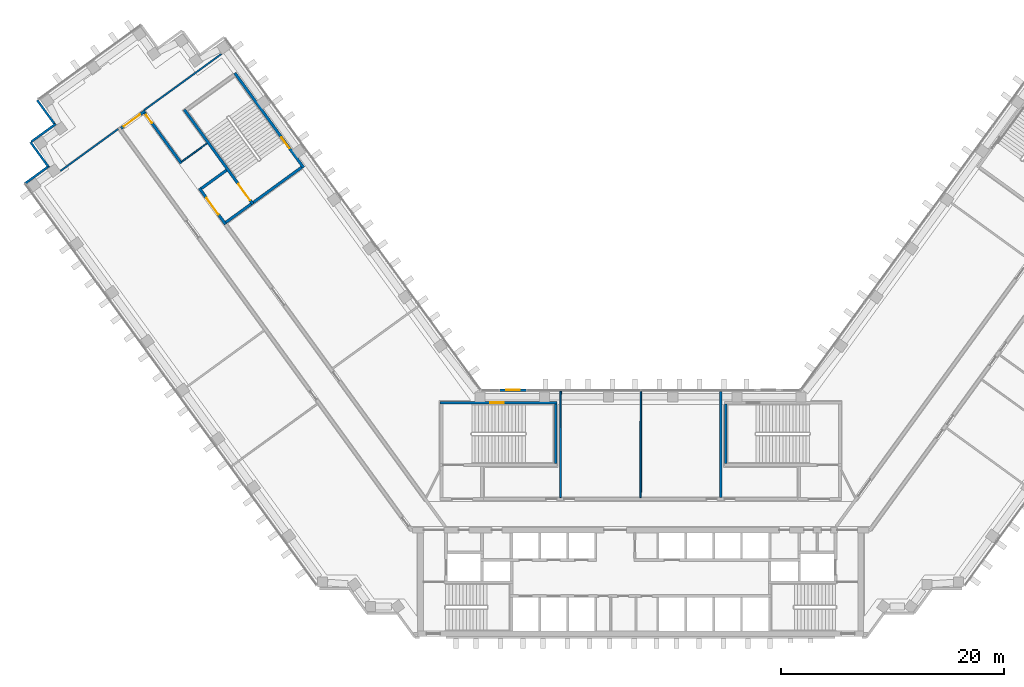
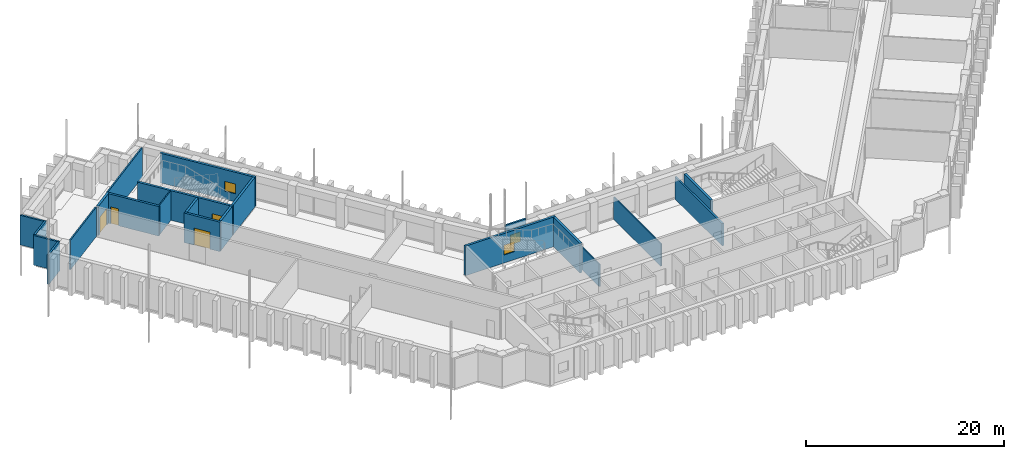
# One storey, part 12 of 18: 22 walls, 4 doors, 3 windows, 7 openings.
"""IFC4 building model written with IfcOpenShell, lengths in metres."""

import ifcopenshell
import ifcopenshell.guid

model = None  # the IFC model being written
_history = None  # IfcOwnerHistory: only IFC2X3 demands one
_inside = {}  # id of a spatial element -> (the spatial element, [elements in it])
_under = {}  # id of a project, library or spatial element -> (it, [spatial elements below it])
_declared = {}  # id of a project -> (the project, [libraries it declares])
_typed = {}  # id of a type object -> (the type object, [elements of that type])
_made_of = {}  # id of a material, layer set ... -> (it, [elements and type objects made of it])


def new_model(schema):
    """Start an empty IFC model of exactly this schema.

    Asked for "IFC4X3", IfcOpenShell would pick the latest addendum, in which some entities
    have other attributes; the version numbers below select the first issue.
    IFC2X3 requires an IfcOwnerHistory on every rooted entity: one is made here for all.
    """
    global model, _history
    if schema == "IFC4X3":
        model = ifcopenshell.file(schema_version=(4, 3, 0, 0))
    else:
        model = ifcopenshell.file(schema=schema)
    _inside.clear()
    _under.clear()
    _declared.clear()
    _typed.clear()
    _made_of.clear()
    _history = None
    if model.schema == "IFC2X3":
        org = make("IfcOrganization", Name="unknown")
        user = make(
            "IfcPersonAndOrganization",
            ThePerson=make("IfcPerson", FamilyName="unknown"),
            TheOrganization=org,
        )
        app = make(
            "IfcApplication",
            ApplicationDeveloper=org,
            Version="unknown",
            ApplicationFullName="unknown",
            ApplicationIdentifier="unknown",
        )
        _history = make(
            "IfcOwnerHistory",
            OwningUser=user,
            OwningApplication=app,
            ChangeAction="ADDED",
            CreationDate=0,
        )
    return model


def make(cls, **values):
    """One entity of the class cls with the attributes given. An attribute that is None is left unset."""
    return model.create_entity(
        cls, **{name: value for name, value in values.items() if value is not None}
    )


def rooted(cls, **values):
    """An entity with a GlobalId (a new one), such as an element, a storey or a relation."""
    return make(cls, GlobalId=ifcopenshell.guid.new(), OwnerHistory=_history, **values)


def si_unit(unit_type, name, prefix=None):
    """IfcSIUnit, for example si_unit("LENGTHUNIT", "METRE", prefix="MILLI")."""
    return make("IfcSIUnit", UnitType=unit_type, Prefix=prefix, Name=name)


def assignment(units):
    """IfcUnitAssignment: the units of a project."""
    return None if units is None else make("IfcUnitAssignment", Units=units)


def point(xyz):
    """IfcCartesianPoint."""
    return None if xyz is None else make("IfcCartesianPoint", Coordinates=xyz)


def direction(xyz):
    """IfcDirection."""
    return None if xyz is None else make("IfcDirection", DirectionRatios=xyz)


def frame(location, z_axis=None, x_axis=None):
    """IfcAxis2Placement3D, a coordinate frame: its origin and axes. An axis left out is left unset."""
    return make(
        "IfcAxis2Placement3D",
        Location=point(location),
        Axis=direction(z_axis),
        RefDirection=direction(x_axis),
    )


def frame_2d(location, x_axis=None):
    """IfcAxis2Placement2D, a coordinate frame in the plane: its origin and x axis."""
    return make(
        "IfcAxis2Placement2D", Location=point(location), RefDirection=direction(x_axis)
    )


def origin():
    """The frame at (0, 0, 0) with its axes left unset."""
    return frame((0.0, 0.0, 0.0))


def place(relative_to, where):
    """IfcLocalPlacement: puts the frame where relative to a parent placement (None: the world)."""
    return make(
        "IfcLocalPlacement", PlacementRelTo=relative_to, RelativePlacement=where
    )


def context(
    kind, dimensions, precision=None, world=None, true_north=None, identifier=None
):
    """IfcGeometricRepresentationContext, for example the 3D "Model" context."""
    return make(
        "IfcGeometricRepresentationContext",
        ContextIdentifier=identifier,
        ContextType=kind,
        CoordinateSpaceDimension=dimensions,
        Precision=precision,
        WorldCoordinateSystem=world,
        TrueNorth=true_north,
    )


def subcontext(parent, identifier, kind, view, scale=None):
    """IfcGeometricRepresentationSubContext, for example "Body" below "Model"."""
    return make(
        "IfcGeometricRepresentationSubContext",
        ContextIdentifier=identifier,
        ContextType=kind,
        ParentContext=parent,
        TargetScale=scale,
        TargetView=view,
    )


def project(units=None, contexts=None):
    """IfcProject with its units and contexts."""
    return rooted(
        "IfcProject",
        Name="project",
        RepresentationContexts=contexts,
        UnitsInContext=assignment(units),
    )


def spatial(cls, under=None, at=None, **own):
    """A site, building, storey or space (cls), placed at a placement, below another one or the project."""
    s = rooted(cls, ObjectPlacement=at, **own)
    if under is not None:
        _under.setdefault(under.id(), (under, []))[1].append(s)
    return s


def profile(cls, at=None, kind="AREA", **sizes):
    """A parametric profile (cls). Its sizes go by their IFC names, for example OverallWidth=200.0."""
    return make(cls, ProfileType=kind, Position=at, **sizes)


def rectangle(**sizes):
    """IfcRectangleProfileDef."""
    return profile("IfcRectangleProfileDef", **sizes)


def extrude(swept, where, along, depth):
    """IfcExtrudedAreaSolid: the profile swept, set in the frame where, extruded along a direction by depth."""
    return make(
        "IfcExtrudedAreaSolid",
        SweptArea=swept,
        Position=where,
        ExtrudedDirection=direction(along),
        Depth=depth,
    )


def shape(context_of_items, identifier, shape_type, items):
    """IfcShapeRepresentation: the items that make up one representation, for example the "Body"."""
    return make(
        "IfcShapeRepresentation",
        ContextOfItems=context_of_items,
        RepresentationIdentifier=identifier,
        RepresentationType=shape_type,
        Items=items,
    )


def material(Name=None, Category=None):
    """IfcMaterial."""
    return make("IfcMaterial", Name=Name, Category=Category)


def layer(
    of_material, thickness, ventilated=None, Name=None, Category=None, Priority=None
):
    """IfcMaterialLayer: one layer of a wall or slab, of a material (None: an air gap)."""
    return make(
        "IfcMaterialLayer",
        Material=of_material,
        LayerThickness=thickness,
        IsVentilated=ventilated,
        Name=Name,
        Category=Category,
        Priority=Priority,
    )


def layer_set(layers, Name=None):
    """IfcMaterialLayerSet."""
    return make("IfcMaterialLayerSet", MaterialLayers=layers, LayerSetName=Name)


def made_of(thing, what):
    """Note that an element or type object is made of a material, layer set ...; save() writes the relation."""
    if what is not None:
        _made_of.setdefault(what.id(), (what, []))[1].append(thing)
    return thing


def type_object(cls, material=None, **own):
    """A type object (cls), such as IfcWallType, which elements share."""
    return made_of(rooted(cls, **own), material)


def element(
    cls,
    number,
    at=None,
    inside=None,
    cuts=None,
    type_object=None,
    material=None,
    context=None,
    identifier="Body",
    shape_type=None,
    held_by="IfcProductDefinitionShape",
    body=None,
    shapes=None,
    **own,
):
    """One element of the class cls, such as IfcWall. Its Tag is "e" and its number.

    at: its placement. inside: the storey or other place that contains it. cuts: it is an
    opening in that element (IfcRelVoidsElement). A single representation is given by context,
    identifier, shape_type and body (its items); several are given by shapes. held_by: the class
    of the entity that holds the representations. save() writes the other relations.
    """
    e = rooted(cls, Tag="e%d" % number, ObjectPlacement=at, **own)
    if body is not None:
        shapes = [shape(context, identifier, shape_type, body)]
    if shapes is not None:
        e.Representation = make(held_by, Representations=shapes)
    if inside is not None:
        _inside.setdefault(inside.id(), (inside, []))[1].append(e)
    if cuts is not None:
        rooted(
            "IfcRelVoidsElement", RelatingBuildingElement=cuts, RelatedOpeningElement=e
        )
    if type_object is not None:
        _typed.setdefault(type_object.id(), (type_object, []))[1].append(e)
    return made_of(e, material)


def fill(opening, filler):
    """IfcRelFillsElement: the door or window that sits in an opening."""
    return rooted(
        "IfcRelFillsElement",
        RelatingOpeningElement=opening,
        RelatedBuildingElement=filler,
    )


def aggregate(whole, parts):
    """IfcRelAggregates: a whole, such as a stair, and the parts it consists of."""
    return rooted("IfcRelAggregates", RelatingObject=whole, RelatedObjects=parts)


def save(model, path):
    """Write the relations noted so far, then the file.

    IfcRelAggregates (storeys below a building ...), IfcRelContainedInSpatialStructure (elements
    in a storey), IfcRelDefinesByType, IfcRelAssociatesMaterial and IfcRelDeclares: one each for
    every whole, place, type object, material and project.
    """
    for whole, parts in _under.values():
        aggregate(whole, parts)
    for where, things in _inside.values():
        rooted(
            "IfcRelContainedInSpatialStructure",
            RelatedElements=things,
            RelatingStructure=where,
        )
    for kind, things in _typed.values():
        rooted("IfcRelDefinesByType", RelatedObjects=things, RelatingType=kind)
    for what, things in _made_of.values():
        rooted("IfcRelAssociatesMaterial", RelatedObjects=things, RelatingMaterial=what)
    for by, libraries in _declared.values():
        rooted("IfcRelDeclares", RelatingContext=by, RelatedDefinitions=libraries)
    model.write(path)


model = new_model("IFC4")

# Units and contexts
model_context = context("Model", 3, precision=1e-05, world=origin(), true_north=direction((0.0, 1.0)))
body_context = subcontext(model_context, "Body", "Model", "MODEL_VIEW")
ifc_project = project(units=[si_unit("LENGTHUNIT", "METRE"), si_unit("AREAUNIT", "SQUARE_METRE"), si_unit("VOLUMEUNIT", "CUBIC_METRE"), si_unit("PLANEANGLEUNIT", "RADIAN"), si_unit("MASSUNIT", "GRAM", prefix="KILO")], contexts=[model_context])

# Site, building, storey
site_placement = place(None, origin())
site = spatial("IfcSite", under=ifc_project, at=site_placement, CompositionType="ELEMENT")
building_placement = place(site_placement, origin())
building = spatial("IfcBuilding", under=site, at=building_placement, Name="Quipu Civic Tower", CompositionType="ELEMENT")
storey_placement = place(building_placement, frame((0.0, 0.0, 71.0)))
storey = spatial("IfcBuildingStorey", under=building, at=storey_placement, Name="L16", CompositionType="ELEMENT", Elevation=71.0)

# Walls
ifc_material_1 = material(Name="Double gypsum plasterboard with mineral wool")
ifc_layer_1 = layer(ifc_material_1, 0.14990234375)
ifc_layer_set_1 = layer_set([ifc_layer_1], Name="Double gypsum plasterboard with mineral wool")
wall_type_1 = type_object("IfcWallType", Name="Acoustic partition 150 plasterboard", PredefinedType="PARTITIONING", material=ifc_layer_set_1)
wall_1_placement = place(storey_placement, frame((0.022705078125, 11.0, 0.0), z_axis=(0.0, 0.0, 1.0), x_axis=(-0.002377476217, -0.999997173799, 0.0)))
element("IfcWall", 1, at=wall_1_placement, inside=storey, type_object=wall_type_1, Name="Partition P05", PredefinedType="PARTITIONING", context=body_context, shape_type="SweptSolid", body=[
    extrude(rectangle(XDim=9.550048828125, YDim=0.14990234375, at=frame_2d((4.77490234375, 0.0))), origin(), (0.0, 0.0, 1.0), 2.75),
])
wall_2_placement = place(storey_placement, frame((-37.614013671875, 41.2568359375, 0.0), z_axis=(0.0, 0.0, 1.0), x_axis=(-0.808991595707, -0.587820208972, 0.0)))
element("IfcWall", 2, at=wall_2_placement, inside=storey, type_object=wall_type_1, Name="Partition P07", PredefinedType="PARTITIONING", context=body_context, shape_type="SweptSolid", body=[
    extrude(rectangle(XDim=8.550537109375, YDim=0.14990234375, at=frame_2d((4.275390625, 0.0))), origin(), (0.0, 0.0, 1.0), 3.64990234375),
])
wall_3_placement = place(storey_placement, frame((-46.877197265625, 34.52587890625, 0.0), z_axis=(0.0, 0.0, 1.0), x_axis=(-0.808993566199, -0.587817497059, 0.0)))
element("IfcWall", 3, at=wall_3_placement, inside=storey, type_object=wall_type_1, Name="Partition P11", PredefinedType="PARTITIONING", context=body_context, shape_type="SweptSolid", body=[
    extrude(rectangle(XDim=6.39453125, YDim=0.14990234375, at=frame_2d((3.197265625, 0.0))), origin(), (0.0, 0.0, 1.0), 3.64990234375),
])
wall_4_placement = place(storey_placement, frame((-7.17529296875, 11.0, 0.0), z_axis=(0.0, 0.0, 1.0), x_axis=(-0.002377476217, -0.999997173799, 0.0)))
element("IfcWall", 4, at=wall_4_placement, inside=storey, type_object=wall_type_1, Name="Partition P13", PredefinedType="PARTITIONING", context=body_context, shape_type="SweptSolid", body=[
    extrude(rectangle(XDim=9.550048828125, YDim=0.14990234375, at=frame_2d((4.77490234375, 0.0))), origin(), (0.0, 0.0, 1.0), 2.75),
])
ifc_material_2 = material(Name="Fired clay blockwork", Category="masonry")
ifc_layer_2 = layer(ifc_material_2, 0.199951171875)
ifc_layer_set_2 = layer_set([ifc_layer_2], Name="Fired clay blockwork")
wall_type_2 = type_object("IfcWallType", Name="Blockwork wall 200", PredefinedType="SOLIDWALL", material=ifc_layer_set_2)
wall_5_placement = place(storey_placement, frame((7.177978515625, 1.449951171875, 0.0), z_axis=(0.0, 0.0, 1.0), x_axis=(0.0, 1.0, 0.0)))
element("IfcWall", 5, at=wall_5_placement, inside=storey, type_object=wall_type_2, Name="Partition P06", PredefinedType="SOLIDWALL", context=body_context, shape_type="SweptSolid", body=[
    extrude(rectangle(XDim=9.550048828125, YDim=0.199951171875, at=frame_2d((4.77490234375, 0.0))), origin(), (0.0, 0.0, 1.0), 2.75),
])
ifc_material_3 = material(Name="Concrete C70/85", Category="concrete")
ifc_layer_3 = layer(ifc_material_3, 0.25)
ifc_layer_set_3 = layer_set([ifc_layer_3], Name="Concrete C70/85")
wall_type_3 = type_object("IfcWallType", Name="Core wall 250", PredefinedType="SHEAR", material=ifc_layer_set_3)
wall_6_placement = place(storey_placement, frame((-7.625, 4.5, 0.0), z_axis=(0.0, 0.0, 1.0), x_axis=(0.0, 1.0, 0.0)))
element("IfcWall", 6, at=wall_6_placement, inside=storey, type_object=wall_type_3, Name="Core wall", PredefinedType="SHEAR", context=body_context, shape_type="SweptSolid", body=[
    extrude(rectangle(XDim=5.35009765625, YDim=0.25, at=frame_2d((2.675048828125, 0.0))), origin(), (0.0, 0.0, 1.0), 3.64990234375),
])

# Wall, opening, window
wall_7_placement = place(storey_placement, frame((-18.0, 9.97509765625, 0.0), z_axis=(0.0, 0.0, 1.0), x_axis=(1.0, 0.0, 0.0)))
wall_7 = element("IfcWall", 7, at=wall_7_placement, inside=storey, type_object=wall_type_3, Name="Core wall", PredefinedType="SHEAR", context=body_context, shape_type="SweptSolid", body=[
    extrude(rectangle(XDim=10.5, YDim=0.25, at=frame_2d((5.25, 0.0))), origin(), (0.0, 0.0, 1.0), 3.64990234375),
])
opening_1_placement = place(wall_7_placement, frame((4.5, 0.0, 1.0)))
opening_1 = element("IfcOpeningElement", 8, at=opening_1_placement, cuts=wall_7, Name="Opening SV-3", PredefinedType="OPENING", context=body_context, shape_type="SweptSolid", body=[
    extrude(rectangle(XDim=1.199951171875, YDim=1.199951171875, at=frame_2d((0.60009765625, 0.60009765625))), frame((0.0, 0.135009765625, 0.0), z_axis=(0.0, -1.0, 0.0), x_axis=(1.0, 0.0, 0.0)), (0.0, 0.0, 1.0), 0.27001953125),
])
ifc_material_4 = material(Name="Aluminium louvre", Category="aluminium")
window_type_1 = type_object("IfcWindowType", Name="Stair ventilation louvre 1200 x 1200", PartitioningType="SINGLE_PANEL", PredefinedType="WINDOW", material=ifc_material_4)
window_1_placement = place(opening_1_placement, origin())
window_1 = element("IfcWindow", 9, at=window_1_placement, inside=storey, type_object=window_type_1, Name="Stair ventilation opening", OverallHeight=1.199951171875, OverallWidth=1.199951171875, PartitioningType="SINGLE_PANEL", PredefinedType="WINDOW", context=body_context, shape_type="SweptSolid", body=[
    extrude(rectangle(XDim=1.199951171875, YDim=1.199951171875, at=frame_2d((0.60009765625, 0.60009765625))), frame((0.0, 0.030029296875, 0.0), z_axis=(0.0, -1.0, 0.0), x_axis=(1.0, 0.0, 0.0)), (0.0, 0.0, 1.0), 0.06005859375),
])
fill(opening_1, window_1)

# Wall
wall_8_placement = place(storey_placement, frame((7.625, 4.5, 0.0), z_axis=(0.0, 0.0, 1.0), x_axis=(0.0, 1.0, 0.0)))
element("IfcWall", 10, at=wall_8_placement, inside=storey, type_object=wall_type_3, Name="Core wall", PredefinedType="SHEAR", context=body_context, shape_type="SweptSolid", body=[
    extrude(rectangle(XDim=5.35009765625, YDim=0.25, at=frame_2d((2.675048828125, 0.0))), origin(), (0.0, 0.0, 1.0), 3.64990234375),
])

# Wall, opening, window
wall_9_placement = place(storey_placement, frame((-30.239501953125, 31.06396484375, 0.0), z_axis=(0.0, 0.0, 1.0), x_axis=(-0.587795589702, 0.809009483706, 0.0)))
wall_9 = element("IfcWall", 11, at=wall_9_placement, inside=storey, type_object=wall_type_3, Name="Core wall", PredefinedType="SHEAR", context=body_context, shape_type="SweptSolid", body=[
    extrude(rectangle(XDim=10.5, YDim=0.25, at=frame_2d((5.25, 0.0))), origin(), (0.0, 0.0, 1.0), 3.64990234375),
])
opening_2_placement = place(wall_9_placement, frame((2.14990234375, 0.0, 1.0)))
opening_2 = element("IfcOpeningElement", 12, at=opening_2_placement, cuts=wall_9, Name="Opening SV-6", PredefinedType="OPENING", context=body_context, shape_type="SweptSolid", body=[
    extrude(rectangle(XDim=1.199951171875, YDim=1.199951171875, at=frame_2d((0.60009765625, 0.60009765625))), frame((0.0, 0.135009765625, 0.0), z_axis=(0.0, -1.0, 0.0), x_axis=(1.0, 0.0, 0.0)), (0.0, 0.0, 1.0), 0.27001953125),
])
window_2_placement = place(opening_2_placement, origin())
window_2 = element("IfcWindow", 13, at=window_2_placement, inside=storey, type_object=window_type_1, Name="Stair ventilation opening", OverallHeight=1.199951171875, OverallWidth=1.199951171875, PartitioningType="SINGLE_PANEL", PredefinedType="WINDOW", context=body_context, shape_type="SweptSolid", body=[
    extrude(rectangle(XDim=1.199951171875, YDim=1.199951171875, at=frame_2d((0.60009765625, 0.60009765625))), frame((0.0, 0.030029296875, 0.0), z_axis=(0.0, -1.0, 0.0), x_axis=(1.0, 0.0, 0.0)), (0.0, 0.0, 1.0), 0.06005859375),
])
fill(opening_2, window_2)

# Wall
wall_10_placement = place(storey_placement, frame((-30.414306640625, 31.091796875, 0.0), z_axis=(0.0, 0.0, 1.0), x_axis=(-0.8089984606, -0.587810760999, 0.0)))
element("IfcWall", 14, at=wall_10_placement, inside=storey, type_object=wall_type_3, Name="Core wall", PredefinedType="SHEAR", context=body_context, shape_type="SweptSolid", body=[
    extrude(rectangle(XDim=5.35009765625, YDim=0.25, at=frame_2d((2.675048828125, 0.0))), origin(), (0.0, 0.0, 1.0), 3.64990234375),
])

# Wall, opening, door
wall_11_placement = place(storey_placement, frame((-40.94189453125, 36.26708984375, 0.0), z_axis=(0.0, 0.0, 1.0), x_axis=(0.587795589702, -0.809009483706, 0.0)))
wall_11 = element("IfcWall", 15, at=wall_11_placement, inside=storey, type_object=wall_type_3, Name="Core wall", PredefinedType="SHEAR", context=body_context, shape_type="SweptSolid", body=[
    extrude(rectangle(XDim=10.5, YDim=0.25, at=frame_2d((5.25, 0.0))), origin(), (0.0, 0.0, 1.0), 3.64990234375),
])
opening_3_placement = place(wall_11_placement, frame((8.25, 0.0, 0.0)))
opening_3 = element("IfcOpeningElement", 16, at=opening_3_placement, cuts=wall_11, Name="Opening CD-19", PredefinedType="OPENING", context=body_context, shape_type="SweptSolid", body=[
    extrude(rectangle(XDim=1.800048828125, YDim=2.10009765625, at=frame_2d((0.89990234375, 1.050048828125))), frame((0.0, 0.135009765625, 0.0), z_axis=(0.0, -1.0, 0.0), x_axis=(1.0, 0.0, 0.0)), (0.0, 0.0, 1.0), 0.27001953125),
])
ifc_material_5 = material(Name="Fire rated steel door", Category="steel")
door_type_1 = type_object("IfcDoorType", Name="Fire door FD90 double 1800 x 2100", OperationType="NOTDEFINED", PredefinedType="DOOR", material=ifc_material_5)
door_1_placement = place(opening_3_placement, origin())
door_1 = element("IfcDoor", 17, at=door_1_placement, inside=storey, type_object=door_type_1, Name="Door", OperationType="DOUBLE_DOOR_SINGLE_SWING", OverallHeight=2.10009765625, OverallWidth=1.800048828125, PredefinedType="DOOR", context=body_context, shape_type="SweptSolid", body=[
    extrude(rectangle(XDim=1.800048828125, YDim=2.10009765625, at=frame_2d((0.89990234375, 1.050048828125))), frame((0.0, 0.02490234375, 0.0), z_axis=(0.0, -1.0, 0.0), x_axis=(1.0, 0.0, 0.0)), (0.0, 0.0, 1.0), 0.050048828125),
])
fill(opening_3, door_1)

# Walls
for number, where, z_axis, x_axis, name in (
    (18, (-34.944580078125, 27.800048828125, 0.0), (0.0, 0.0, 1.0), (-0.809041377956, -0.587751689708, 0.0), "Core wall"),
    (19, (-37.14892578125, 30.833984375, 0.0), (0.0, 0.0, 1.0), (-0.808969789945, -0.58785021813, 0.0), "Core wall"),
):
    element("IfcWall", number, at=place(storey_placement, frame(where, z_axis=z_axis, x_axis=x_axis)), inside=storey, type_object=wall_type_3, Name=name, PredefinedType="SHEAR", context=body_context, shape_type="SweptSolid", body=[
        extrude(rectangle(XDim=2.800048828125, YDim=0.25, at=frame_2d((1.39990234375, 0.0))), origin(), (0.0, 0.0, 1.0), 3.64990234375),
    ])

# Wall, opening, door
wall_12_placement = place(storey_placement, frame((-39.588623046875, 29.2158203125, 0.0), z_axis=(0.0, 0.0, 1.0), x_axis=(0.587772420479, -0.809026317077, 0.0)))
wall_12 = element("IfcWall", 20, at=wall_12_placement, inside=storey, type_object=wall_type_3, Name="Core wall", PredefinedType="SHEAR", context=body_context, shape_type="SweptSolid", body=[
    extrude(rectangle(XDim=4.0, YDim=0.25, at=frame_2d((2.0, 0.0))), origin(), (0.0, 0.0, 1.0), 3.64990234375),
])
opening_4_placement = place(wall_12_placement, frame((1.10009765625, 0.0, 0.0)))
opening_4 = element("IfcOpeningElement", 21, at=opening_4_placement, cuts=wall_12, Name="Opening CD-20", PredefinedType="OPENING", context=body_context, shape_type="SweptSolid", body=[
    extrude(rectangle(XDim=1.800048828125, YDim=2.10009765625, at=frame_2d((0.89990234375, 1.050048828125))), frame((0.0, 0.135009765625, 0.0), z_axis=(0.0, -1.0, 0.0), x_axis=(1.0, 0.0, 0.0)), (0.0, 0.0, 1.0), 0.27001953125),
])
door_2_placement = place(opening_4_placement, origin())
door_2 = element("IfcDoor", 22, at=door_2_placement, inside=storey, type_object=door_type_1, Name="Lobby door", OperationType="DOUBLE_DOOR_SINGLE_SWING", OverallHeight=2.10009765625, OverallWidth=1.800048828125, PredefinedType="DOOR", context=body_context, shape_type="SweptSolid", body=[
    extrude(rectangle(XDim=1.800048828125, YDim=2.10009765625, at=frame_2d((0.89990234375, 1.050048828125))), frame((0.0, 0.02490234375, 0.0), z_axis=(0.0, -1.0, 0.0), x_axis=(1.0, 0.0, 0.0)), (0.0, 0.0, 1.0), 0.050048828125),
])
fill(opening_4, door_2)

ifc_material_6 = material(Name="Concrete C50/60", Category="concrete")
ifc_layer_4 = layer(ifc_material_6, 0.25)
ifc_layer_set_4 = layer_set([ifc_layer_4], Name="Concrete C50/60")
wall_type_4 = type_object("IfcWallType", Name="Corridor wall 250 concrete", PredefinedType="SOLIDWALL", material=ifc_layer_set_4)
wall_13_placement = place(storey_placement, frame((-46.613037109375, 34.587890625, 0.0), z_axis=(0.0, 0.0, 1.0), x_axis=(0.808994936898, 0.587815610607, 0.0)))
wall_13 = element("IfcWall", 23, at=wall_13_placement, inside=storey, type_object=wall_type_4, Name="Corridor wall C02", PredefinedType="SOLIDWALL", context=body_context, shape_type="SweptSolid", body=[
    extrude(rectangle(XDim=2.650146484375, YDim=0.25, at=frame_2d((1.3251953125, 0.0))), origin(), (0.0, 0.0, 1.0), 3.64990234375),
])
opening_5_placement = place(wall_13_placement, frame((0.29931640625, 0.0, 0.0)))
opening_5 = element("IfcOpeningElement", 24, at=opening_5_placement, cuts=wall_13, Name="Opening D021", PredefinedType="OPENING", context=body_context, shape_type="SweptSolid", body=[
    extrude(rectangle(XDim=1.800048828125, YDim=2.10009765625, at=frame_2d((0.89990234375, 1.050048828125))), frame((0.0, 0.135009765625, 0.0), z_axis=(0.0, -1.0, 0.0), x_axis=(1.0, 0.0, 0.0)), (0.0, 0.0, 1.0), 0.27001953125),
])
ifc_material_7 = material(Name="Fire rated timber door set with metal frame", Category="wood")
door_type_2 = type_object("IfcDoorType", Name="Double door 1800 x 2100 FD60", OperationType="DOUBLE_DOOR_SINGLE_SWING", PredefinedType="DOOR", material=ifc_material_7)
door_3_placement = place(opening_5_placement, origin())
door_3 = element("IfcDoor", 25, at=door_3_placement, inside=storey, type_object=door_type_2, Name="Door D021", OperationType="DOUBLE_DOOR_SINGLE_SWING", OverallHeight=2.10009765625, OverallWidth=1.800048828125, PredefinedType="DOOR", context=body_context, shape_type="SweptSolid", body=[
    extrude(rectangle(XDim=1.800048828125, YDim=2.10009765625, at=frame_2d((0.89990234375, 1.050048828125))), frame((0.0, 0.02490234375, 0.0), z_axis=(0.0, -1.0, 0.0), x_axis=(1.0, 0.0, 0.0)), (0.0, 0.0, 1.0), 0.050048828125),
])
fill(opening_5, door_3)

wall_14_placement = place(storey_placement, frame((-44.49658203125, 35.97119140625, 0.0), z_axis=(0.0, 0.0, 1.0), x_axis=(0.587742866856, -0.809047787501, 0.0)))
wall_14 = element("IfcWall", 26, at=wall_14_placement, inside=storey, type_object=wall_type_4, Name="Corridor wall C03", PredefinedType="SOLIDWALL", context=body_context, shape_type="SweptSolid", body=[
    extrude(rectangle(XDim=5.58642578125, YDim=0.25, at=frame_2d((2.793212890625, 0.0))), origin(), (0.0, 0.0, 1.0), 3.64990234375),
])
opening_6_placement = place(wall_14_placement, frame((0.224365234375, 0.0, 0.0)))
opening_6 = element("IfcOpeningElement", 27, at=opening_6_placement, cuts=wall_14, Name="Opening D015", PredefinedType="OPENING", context=body_context, shape_type="SweptSolid", body=[
    extrude(rectangle(XDim=0.89990234375, YDim=2.10009765625, at=frame_2d((0.449951171875, 1.050048828125))), frame((0.0, 0.135009765625, 0.0), z_axis=(0.0, -1.0, 0.0), x_axis=(1.0, 0.0, 0.0)), (0.0, 0.0, 1.0), 0.27001953125),
])
ifc_material_8 = material(Name="Fire rated timber door set with metal frame", Category="wood")
door_type_3 = type_object("IfcDoorType", Name="Single door 900 x 2100 FD60", OperationType="NOTDEFINED", PredefinedType="DOOR", material=ifc_material_8)
door_4_placement = place(opening_6_placement, origin())
door_4 = element("IfcDoor", 28, at=door_4_placement, inside=storey, type_object=door_type_3, Name="Door D015", OperationType="SINGLE_SWING_LEFT", OverallHeight=2.10009765625, OverallWidth=0.89990234375, PredefinedType="DOOR", context=body_context, shape_type="SweptSolid", body=[
    extrude(rectangle(XDim=0.89990234375, YDim=2.10009765625, at=frame_2d((0.449951171875, 1.050048828125))), frame((0.0, 0.02490234375, 0.0), z_axis=(0.0, -1.0, 0.0), x_axis=(1.0, 0.0, 0.0)), (0.0, 0.0, 1.0), 0.050048828125),
])
fill(opening_6, door_4)

# Walls
ifc_material_9 = material(Name="Gypsum plasterboard on light gauge framing")
ifc_layer_5 = layer(ifc_material_9, 0.1201171875)
ifc_layer_set_5 = layer_set([ifc_layer_5], Name="Gypsum plasterboard on light gauge framing")
wall_type_5 = type_object("IfcWallType", Name="Partition 120 plasterboard", PredefinedType="PARTITIONING", material=ifc_layer_set_5)
wall_15_placement = place(storey_placement, frame((-41.166015625, 31.59912109375, 0.0), z_axis=(0.0, 0.0, 1.0), x_axis=(0.809090262332, 0.587684394381, 0.0)))
element("IfcWall", 29, at=wall_15_placement, inside=storey, type_object=wall_type_5, Name="Partition P16", PredefinedType="PARTITIONING", context=body_context, shape_type="SweptSolid", body=[
    extrude(rectangle(XDim=2.80078125, YDim=0.1201171875, at=frame_2d((1.400390625, 0.0))), origin(), (0.0, 0.0, 1.0), 3.64990234375),
])
ifc_material_10 = material(Name="Precast concrete C40/50", Category="concrete")
wall_type_6 = type_object("IfcWallType", Name="Precast cladding wall", PredefinedType="SOLIDWALL", material=ifc_material_10)
wall_16_placement = place(storey_placement, frame((-52.46533203125, 34.9873046875, 0.0), z_axis=(0.0, 0.0, 1.0), x_axis=(-0.809033161865, -0.587762999008, 0.0)))
element("IfcWall", 30, at=wall_16_placement, inside=storey, type_object=wall_type_6, Name="Precast cladding wall L16 P01", PredefinedType="SOLIDWALL", context=body_context, shape_type="SweptSolid", body=[
    extrude(rectangle(XDim=2.699951171875, YDim=0.199951171875, at=frame_2d((1.35009765625, 0.0))), origin(), (0.0, 0.0, 1.0), 3.64990234375),
])
wall_17_placement = place(storey_placement, frame((-54.73779296875, 33.351318359375, 0.0), z_axis=(0.0, 0.0, 1.0), x_axis=(0.587779184282, -0.809021403008, 0.0)))
element("IfcWall", 31, at=wall_17_placement, inside=storey, type_object=wall_type_6, Name="Precast cladding wall L16 P02", PredefinedType="SOLIDWALL", context=body_context, shape_type="SweptSolid", body=[
    extrude(rectangle(XDim=2.7001953125, YDim=0.199951171875, at=frame_2d((1.35009765625, 0.0))), origin(), (0.0, 0.0, 1.0), 3.64990234375),
])
for number, where, z_axis, x_axis, name in (
    (32, (-53.062744140625, 31.2158203125, 0.0), (0.0, 0.0, 1.0), (-0.809033161865, -0.587762999008, 0.0), "Precast cladding wall L16 P03"),
    (33, (-54.140380859375, 37.12255859375, 0.0), (0.0, 0.0, 1.0), (0.587822180636, -0.808990163075, 0.0), "Precast cladding wall L16 P10"),
):
    element("IfcWall", number, at=place(storey_placement, frame(where, z_axis=z_axis, x_axis=x_axis)), inside=storey, type_object=wall_type_6, Name=name, PredefinedType="SOLIDWALL", context=body_context, shape_type="SweptSolid", body=[
        extrude(rectangle(XDim=2.699951171875, YDim=0.199951171875, at=frame_2d((1.35009765625, 0.0))), origin(), (0.0, 0.0, 1.0), 3.64990234375),
    ])

# Wall, opening, window
wall_18_placement = place(storey_placement, frame((-10.263427734375, 11.10009765625, 0.0), z_axis=(0.0, 0.0, 1.0), x_axis=(-1.0, 0.0, 0.0)))
wall_18 = element("IfcWall", 34, at=wall_18_placement, inside=storey, type_object=wall_type_6, Name="Vent surround SF-L15-1", PredefinedType="SOLIDWALL", context=body_context, shape_type="SweptSolid", body=[
    extrude(rectangle(XDim=2.3916015625, YDim=0.199951171875, at=frame_2d((1.19580078125, 0.0))), origin(), (0.0, 0.0, 1.0), 3.64990234375),
])
opening_7_placement = place(wall_18_placement, frame((0.595703125, 0.0, 1.0)))
opening_7 = element("IfcOpeningElement", 35, at=opening_7_placement, cuts=wall_18, Name="Opening SF-L15-1", PredefinedType="OPENING", context=body_context, shape_type="SweptSolid", body=[
    extrude(rectangle(XDim=1.199951171875, YDim=1.199951171875, at=frame_2d((0.60009765625, 0.60009765625))), frame((0.0, 0.10986328125, 0.0), z_axis=(0.0, -1.0, 0.0), x_axis=(1.0, 0.0, 0.0)), (0.0, 0.0, 1.0), 0.219970703125),
])
ifc_material_11 = material(Name="Anodised aluminium louvre", Category="aluminium")
window_type_2 = type_object("IfcWindowType", Name="Stair vent louvre window P3", PartitioningType="SINGLE_PANEL", PredefinedType="WINDOW", material=ifc_material_11)
window_3_placement = place(opening_7_placement, origin())
window_3 = element("IfcWindow", 36, at=window_3_placement, inside=storey, type_object=window_type_2, Name="Stair vent louvre SF-L15-1", OverallHeight=1.199951171875, OverallWidth=1.199951171875, PartitioningType="SINGLE_PANEL", PredefinedType="WINDOW", context=body_context, shape_type="SweptSolid", body=[
    extrude(rectangle(XDim=1.199951171875, YDim=1.199951171875, at=frame_2d((0.60009765625, 0.60009765625))), frame((0.0, 0.030029296875, 0.0), z_axis=(0.0, -1.0, 0.0), x_axis=(1.0, 0.0, 0.0)), (0.0, 0.0, 1.0), 0.06005859375),
])
fill(opening_7, window_3)

save(model, "model.ifc")
